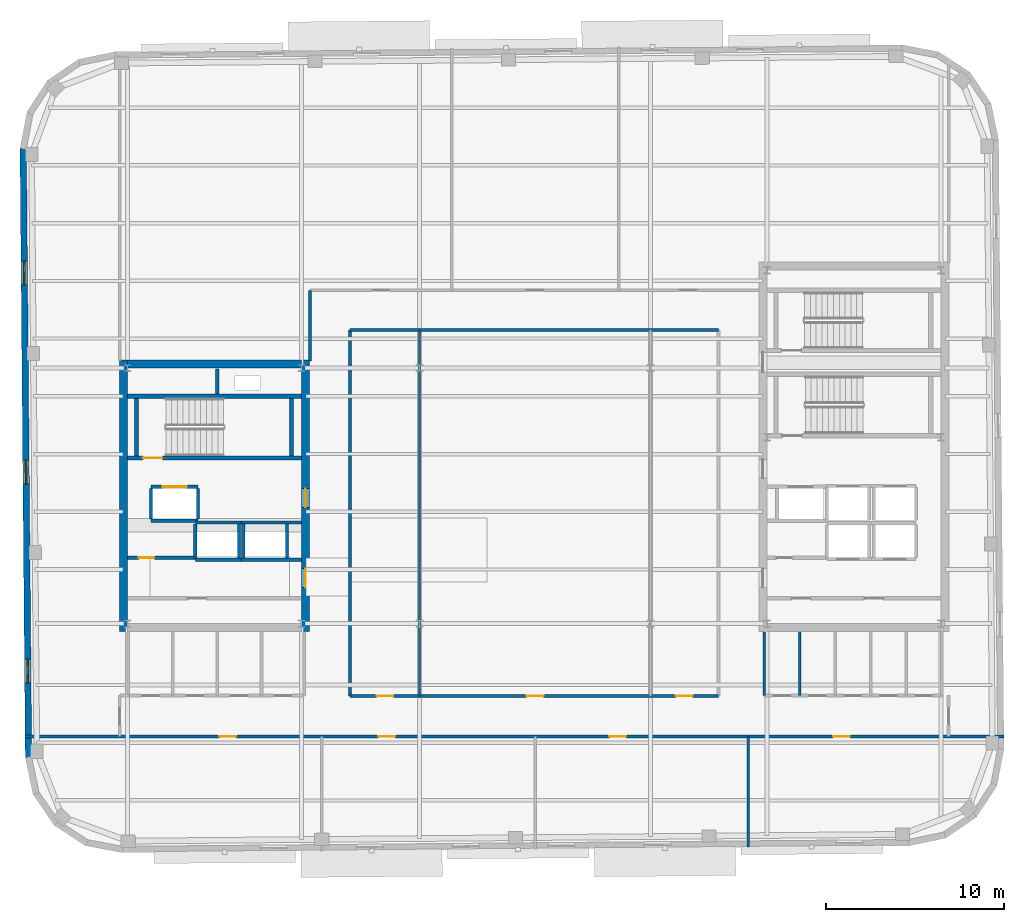
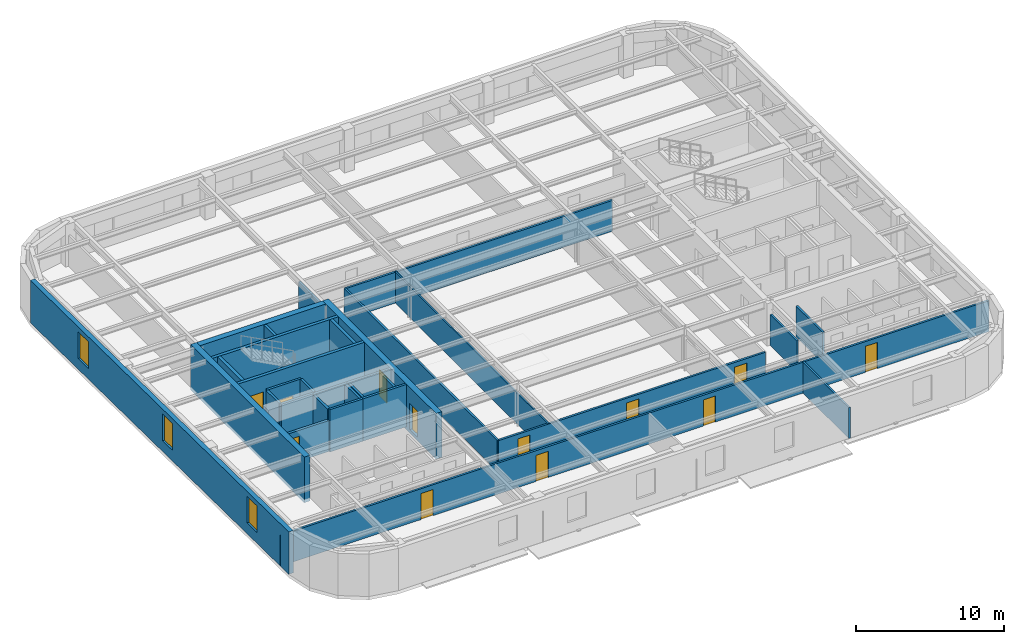
# One storey, part 7 of 13: 31 walls, 12 doors, 3 windows, 15 openings.
"""IFC4 building model written with IfcOpenShell, lengths in metres."""

from ifc_helpers import new_model, si_unit, direction, frame, frame_2d, origin, place, context, subcontext, project, spatial, rectangle, extrude, material, layer, layer_set, type_object, element, fill, save


model = new_model("IFC4")

# Units and contexts
model_context = context("Model", 3, precision=1e-05, world=origin(), true_north=direction((0.0, 1.0)))
body_context = subcontext(model_context, "Body", "Model", "MODEL_VIEW")
ifc_project = project(units=[si_unit("LENGTHUNIT", "METRE"), si_unit("AREAUNIT", "SQUARE_METRE"), si_unit("VOLUMEUNIT", "CUBIC_METRE"), si_unit("PLANEANGLEUNIT", "RADIAN"), si_unit("MASSUNIT", "GRAM", prefix="KILO")], contexts=[model_context])

# Site, building, storey
site_placement = place(None, origin())
site = spatial("IfcSite", under=ifc_project, at=site_placement, CompositionType="ELEMENT")
building_placement = place(site_placement, origin())
building = spatial("IfcBuilding", under=site, at=building_placement, Name="Kolvaren Arena Tower", CompositionType="ELEMENT")
storey_placement = place(building_placement, frame((0.0, 0.0, 278.64990234375)))
storey = spatial("IfcBuildingStorey", under=building, at=storey_placement, Name="L68", CompositionType="ELEMENT", Elevation=278.64990234375)

# Wall, openings, doors
ifc_material_1 = material(Name="Gypsum board acoustic assembly", Category="gypsum")
ifc_layer_1 = layer(ifc_material_1, 0.159912109375)
ifc_layer_set_1 = layer_set([ifc_layer_1], Name="Gypsum board acoustic assembly")
wall_type_1 = type_object("IfcWallType", Name="CORR-160", PredefinedType="PARTITIONING", material=ifc_layer_set_1)
wall_1_placement = place(storey_placement, frame((8.790283203125, 13.10009765625, 0.0), z_axis=(0.0, 0.0, 1.0), x_axis=(1.0, 0.0, 0.0)))
wall_1 = element("IfcWall", 1, at=wall_1_placement, inside=storey, type_object=wall_type_1, Name="Interior Partition Wall (L68)", PredefinedType="PARTITIONING", context=body_context, shape_type="SweptSolid", body=[
    extrude(rectangle(XDim=55.10205078125, YDim=0.159912109375, at=frame_2d((27.551025390625, 0.0))), origin(), (0.0, 0.0, 1.0), 2.5400390625),
])
opening_1_placement = place(wall_1_placement, frame((10.934814453125, 0.0, 0.0)))
opening_1 = element("IfcOpeningElement", 2, at=opening_1_placement, cuts=wall_1, Name="Opening D05", PredefinedType="OPENING", context=body_context, shape_type="SweptSolid", body=[
    extrude(rectangle(XDim=0.949951171875, YDim=2.14990234375, at=frame_2d((0.47509765625, 1.074951171875))), frame((0.0, 0.08984375, 0.0), z_axis=(0.0, -1.0, 0.0), x_axis=(1.0, 0.0, 0.0)), (0.0, 0.0, 1.0), 0.179931640625),
])
opening_2_placement = place(wall_1_placement, frame((19.884765625, 0.0, 0.0)))
opening_2 = element("IfcOpeningElement", 3, at=opening_2_placement, cuts=wall_1, Name="Opening D05", PredefinedType="OPENING", context=body_context, shape_type="SweptSolid", body=[
    extrude(rectangle(XDim=0.949951171875, YDim=2.14990234375, at=frame_2d((0.47509765625, 1.074951171875))), frame((0.0, 0.08984375, 0.0), z_axis=(0.0, -1.0, 0.0), x_axis=(1.0, 0.0, 0.0)), (0.0, 0.0, 1.0), 0.179931640625),
])
opening_3_placement = place(wall_1_placement, frame((32.884765625, 0.0, 0.0)))
opening_3 = element("IfcOpeningElement", 4, at=opening_3_placement, cuts=wall_1, Name="Opening D05", PredefinedType="OPENING", context=body_context, shape_type="SweptSolid", body=[
    extrude(rectangle(XDim=0.949951171875, YDim=2.14990234375, at=frame_2d((0.47509765625, 1.074951171875))), frame((0.0, 0.08984375, 0.0), z_axis=(0.0, -1.0, 0.0), x_axis=(1.0, 0.0, 0.0)), (0.0, 0.0, 1.0), 0.179931640625),
])
opening_4_placement = place(wall_1_placement, frame((45.484619140625, 0.0, 0.0)))
opening_4 = element("IfcOpeningElement", 5, at=opening_4_placement, cuts=wall_1, Name="Opening D05", PredefinedType="OPENING", context=body_context, shape_type="SweptSolid", body=[
    extrude(rectangle(XDim=0.949951171875, YDim=2.14990234375, at=frame_2d((0.47509765625, 1.074951171875))), frame((0.0, 0.08984375, 0.0), z_axis=(0.0, -1.0, 0.0), x_axis=(1.0, 0.0, 0.0)), (0.0, 0.0, 1.0), 0.179931640625),
])
ifc_material_2 = material(Name="Solid-core oak acoustic office door", Category="wood")
door_type_1 = type_object("IfcDoorType", Name="DOOR-OF-095", OperationType="NOTDEFINED", PredefinedType="DOOR", material=ifc_material_2)
door_1_placement = place(opening_1_placement, origin())
door_1 = element("IfcDoor", 6, at=door_1_placement, inside=storey, type_object=door_type_1, Name="Wellness Room Door (L68)", OperationType="SINGLE_SWING_RIGHT", OverallHeight=2.14990234375, OverallWidth=0.949951171875, PredefinedType="DOOR", context=body_context, shape_type="SweptSolid", body=[
    extrude(rectangle(XDim=0.949951171875, YDim=2.14990234375, at=frame_2d((0.47509765625, 1.074951171875))), frame((0.0, 0.02490234375, 0.0), z_axis=(0.0, -1.0, 0.0), x_axis=(1.0, 0.0, 0.0)), (0.0, 0.0, 1.0), 0.050048828125),
])
fill(opening_1, door_1)
door_2_placement = place(opening_2_placement, origin())
door_2 = element("IfcDoor", 7, at=door_2_placement, inside=storey, type_object=door_type_1, Name="Open Plan Office Door (L68)", OperationType="SINGLE_SWING_LEFT", OverallHeight=2.14990234375, OverallWidth=0.949951171875, PredefinedType="DOOR", context=body_context, shape_type="SweptSolid", body=[
    extrude(rectangle(XDim=0.949951171875, YDim=2.14990234375, at=frame_2d((0.47509765625, 1.074951171875))), frame((0.0, 0.02490234375, 0.0), z_axis=(0.0, -1.0, 0.0), x_axis=(1.0, 0.0, 0.0)), (0.0, 0.0, 1.0), 0.050048828125),
])
fill(opening_2, door_2)
door_3_placement = place(opening_3_placement, origin())
door_3 = element("IfcDoor", 8, at=door_3_placement, inside=storey, type_object=door_type_1, Name="Copy and Print Room Door (L68)", OperationType="SINGLE_SWING_RIGHT", OverallHeight=2.14990234375, OverallWidth=0.949951171875, PredefinedType="DOOR", context=body_context, shape_type="SweptSolid", body=[
    extrude(rectangle(XDim=0.949951171875, YDim=2.14990234375, at=frame_2d((0.47509765625, 1.074951171875))), frame((0.0, 0.02490234375, 0.0), z_axis=(0.0, -1.0, 0.0), x_axis=(1.0, 0.0, 0.0)), (0.0, 0.0, 1.0), 0.050048828125),
])
fill(opening_3, door_3)
door_4_placement = place(opening_4_placement, origin())
door_4 = element("IfcDoor", 9, at=door_4_placement, inside=storey, type_object=door_type_1, Name="Executive Office Door (L68)", OperationType="SINGLE_SWING_LEFT", OverallHeight=2.14990234375, OverallWidth=0.949951171875, PredefinedType="DOOR", context=body_context, shape_type="SweptSolid", body=[
    extrude(rectangle(XDim=0.949951171875, YDim=2.14990234375, at=frame_2d((0.47509765625, 1.074951171875))), frame((0.0, 0.02490234375, 0.0), z_axis=(0.0, -1.0, 0.0), x_axis=(1.0, 0.0, 0.0)), (0.0, 0.0, 1.0), 0.050048828125),
])
fill(opening_4, door_4)

# Wall
wall_2_placement = place(storey_placement, frame((24.820068359375, 34.25, 0.0), z_axis=(0.0, 0.0, 1.0), x_axis=(0.0, 1.0, 0.0)))
element("IfcWall", 10, at=wall_2_placement, inside=storey, type_object=wall_type_1, Name="Interior Partition Wall (L68)", PredefinedType="PARTITIONING", context=body_context, shape_type="SweptSolid", body=[
    extrude(rectangle(XDim=3.969970703125, YDim=0.159912109375, at=frame_2d((1.98486328125, 0.0))), origin(), (0.0, 0.0, 1.0), 2.5400390625),
])

# Wall, openings, doors
wall_3_placement = place(storey_placement, frame((27.080078125, 15.3798828125, 0.0), z_axis=(0.0, 0.0, 1.0), x_axis=(1.0, 0.0, 0.0)))
wall_3 = element("IfcWall", 11, at=wall_3_placement, inside=storey, type_object=wall_type_1, Name="Interior Partition Wall (L68)", PredefinedType="PARTITIONING", context=body_context, shape_type="SweptSolid", body=[
    extrude(rectangle(XDim=20.739990234375, YDim=0.159912109375, at=frame_2d((10.3701171875, 0.0))), origin(), (0.0, 0.0, 1.0), 2.5400390625),
])
opening_5_placement = place(wall_3_placement, frame((1.4951171875, 0.0, 0.0)))
opening_5 = element("IfcOpeningElement", 12, at=opening_5_placement, cuts=wall_3, Name="Opening D05", PredefinedType="OPENING", context=body_context, shape_type="SweptSolid", body=[
    extrude(rectangle(XDim=0.949951171875, YDim=2.14990234375, at=frame_2d((0.47509765625, 1.074951171875))), frame((0.0, 0.08984375, 0.0), z_axis=(0.0, -1.0, 0.0), x_axis=(1.0, 0.0, 0.0)), (0.0, 0.0, 1.0), 0.179931640625),
])
opening_6_placement = place(wall_3_placement, frame((9.945068359375, 0.0, 0.0)))
opening_6 = element("IfcOpeningElement", 13, at=opening_6_placement, cuts=wall_3, Name="Opening D05", PredefinedType="OPENING", context=body_context, shape_type="SweptSolid", body=[
    extrude(rectangle(XDim=0.949951171875, YDim=2.14990234375, at=frame_2d((0.47509765625, 1.074951171875))), frame((0.0, 0.08984375, 0.0), z_axis=(0.0, -1.0, 0.0), x_axis=(1.0, 0.0, 0.0)), (0.0, 0.0, 1.0), 0.179931640625),
])
opening_7_placement = place(wall_3_placement, frame((18.344970703125, 0.0, 0.0)))
opening_7 = element("IfcOpeningElement", 14, at=opening_7_placement, cuts=wall_3, Name="Opening D05", PredefinedType="OPENING", context=body_context, shape_type="SweptSolid", body=[
    extrude(rectangle(XDim=0.949951171875, YDim=2.14990234375, at=frame_2d((0.47509765625, 1.074951171875))), frame((0.0, 0.08984375, 0.0), z_axis=(0.0, -1.0, 0.0), x_axis=(1.0, 0.0, 0.0)), (0.0, 0.0, 1.0), 0.179931640625),
])
door_5_placement = place(opening_5_placement, origin())
door_5 = element("IfcDoor", 15, at=door_5_placement, inside=storey, type_object=door_type_1, Name="Open Plan Office Door (L68)", OperationType="SINGLE_SWING_LEFT", OverallHeight=2.14990234375, OverallWidth=0.949951171875, PredefinedType="DOOR", context=body_context, shape_type="SweptSolid", body=[
    extrude(rectangle(XDim=0.949951171875, YDim=2.14990234375, at=frame_2d((0.47509765625, 1.074951171875))), frame((0.0, 0.02490234375, 0.0), z_axis=(0.0, -1.0, 0.0), x_axis=(1.0, 0.0, 0.0)), (0.0, 0.0, 1.0), 0.050048828125),
])
fill(opening_5, door_5)
door_6_placement = place(opening_6_placement, origin())
door_6 = element("IfcDoor", 16, at=door_6_placement, inside=storey, type_object=door_type_1, Name="Copy and Print Room Door (L68)", OperationType="SINGLE_SWING_RIGHT", OverallHeight=2.14990234375, OverallWidth=0.949951171875, PredefinedType="DOOR", context=body_context, shape_type="SweptSolid", body=[
    extrude(rectangle(XDim=0.949951171875, YDim=2.14990234375, at=frame_2d((0.47509765625, 1.074951171875))), frame((0.0, 0.02490234375, 0.0), z_axis=(0.0, -1.0, 0.0), x_axis=(1.0, 0.0, 0.0)), (0.0, 0.0, 1.0), 0.050048828125),
])
fill(opening_6, door_6)
door_7_placement = place(opening_7_placement, origin())
door_7 = element("IfcDoor", 17, at=door_7_placement, inside=storey, type_object=door_type_1, Name="Executive Office Door (L68)", OperationType="SINGLE_SWING_LEFT", OverallHeight=2.14990234375, OverallWidth=0.949951171875, PredefinedType="DOOR", context=body_context, shape_type="SweptSolid", body=[
    extrude(rectangle(XDim=0.949951171875, YDim=2.14990234375, at=frame_2d((0.47509765625, 1.074951171875))), frame((0.0, 0.02490234375, 0.0), z_axis=(0.0, -1.0, 0.0), x_axis=(1.0, 0.0, 0.0)), (0.0, 0.0, 1.0), 0.050048828125),
])
fill(opening_7, door_7)

# Walls
wall_4_placement = place(storey_placement, frame((27.080078125, 35.97998046875, 0.0), z_axis=(0.0, 0.0, 1.0), x_axis=(1.0, 0.0, 0.0)))
element("IfcWall", 18, at=wall_4_placement, inside=storey, type_object=wall_type_1, Name="Interior Partition Wall (L68)", PredefinedType="PARTITIONING", context=body_context, shape_type="SweptSolid", body=[
    extrude(rectangle(XDim=20.739990234375, YDim=0.159912109375, at=frame_2d((10.3701171875, 0.0))), origin(), (0.0, 0.0, 1.0), 2.5400390625),
])
wall_5_placement = place(storey_placement, frame((27.080078125, 15.3798828125, 0.0), z_axis=(0.0, 0.0, 1.0), x_axis=(0.0, 1.0, 0.0)))
element("IfcWall", 19, at=wall_5_placement, inside=storey, type_object=wall_type_1, Name="Interior Partition Wall (L68)", PredefinedType="PARTITIONING", context=body_context, shape_type="SweptSolid", body=[
    extrude(rectangle(XDim=20.60009765625, YDim=0.159912109375, at=frame_2d((10.300048828125, 0.0))), origin(), (0.0, 0.0, 1.0), 2.5400390625),
])
ifc_material_3 = material(Name="Concrete 55 MPa", Category="concrete")
ifc_layer_2 = layer(ifc_material_3, 0.449951171875)
ifc_layer_set_2 = layer_set([ifc_layer_2], Name="Concrete 55 MPa")
wall_type_2 = type_object("IfcWallType", Name="CWALL-450", PredefinedType="SHEAR", material=ifc_layer_set_2)
wall_6_placement = place(storey_placement, frame((14.324951171875, 19.0, -0.27001953125), z_axis=(0.0, 0.0, 1.0), x_axis=(0.0, 1.0, 0.0)))
element("IfcWall", 20, at=wall_6_placement, inside=storey, type_object=wall_type_2, Name="Core Shear Wall WC-WEST (L68)", PredefinedType="SHEAR", context=body_context, shape_type="SweptSolid", body=[
    extrude(rectangle(XDim=15.300048828125, YDim=0.449951171875, at=frame_2d((7.64990234375, 0.0))), origin(), (0.0, 0.0, 1.0), 3.75),
])

# Wall, openings, doors
wall_7_placement = place(storey_placement, frame((24.574951171875, 19.0, -0.27001953125), z_axis=(0.0, 0.0, 1.0), x_axis=(0.0, 1.0, 0.0)))
wall_7 = element("IfcWall", 21, at=wall_7_placement, inside=storey, type_object=wall_type_2, Name="Core Shear Wall WC-EAST (L68)", PredefinedType="SHEAR", context=body_context, shape_type="SweptSolid", body=[
    extrude(rectangle(XDim=15.300048828125, YDim=0.449951171875, at=frame_2d((7.64990234375, 0.0))), origin(), (0.0, 0.0, 1.0), 3.75),
])
opening_8_placement = place(wall_7_placement, frame((2.5, 0.0, 0.27001953125)))
opening_8 = element("IfcOpeningElement", 22, at=opening_8_placement, cuts=wall_7, Name="Opening D04", PredefinedType="OPENING", context=body_context, shape_type="SweptSolid", body=[
    extrude(rectangle(XDim=1.050048828125, YDim=2.14990234375, at=frame_2d((0.52490234375, 1.074951171875))), frame((0.0, 0.23486328125, 0.0), z_axis=(0.0, -1.0, 0.0), x_axis=(1.0, 0.0, 0.0)), (0.0, 0.0, 1.0), 0.469970703125),
])
opening_9_placement = place(wall_7_placement, frame((7.0, 0.0, 0.27001953125)))
opening_9 = element("IfcOpeningElement", 23, at=opening_9_placement, cuts=wall_7, Name="Opening D04", PredefinedType="OPENING", context=body_context, shape_type="SweptSolid", body=[
    extrude(rectangle(XDim=1.050048828125, YDim=2.14990234375, at=frame_2d((0.52490234375, 1.074951171875))), frame((0.0, 0.23486328125, 0.0), z_axis=(0.0, -1.0, 0.0), x_axis=(1.0, 0.0, 0.0)), (0.0, 0.0, 1.0), 0.469970703125),
])
ifc_material_4 = material(Name="Fire-rated steel lobby door", Category="steel")
door_type_2 = type_object("IfcDoorType", Name="DOOR-FF-105", OperationType="NOTDEFINED", PredefinedType="DOOR", material=ifc_material_4)
door_8_placement = place(opening_8_placement, origin())
door_8 = element("IfcDoor", 24, at=door_8_placement, inside=storey, type_object=door_type_2, Name="West Lift Lobby Fire Door (L68)", OperationType="SINGLE_SWING_LEFT", OverallHeight=2.14990234375, OverallWidth=1.050048828125, PredefinedType="DOOR", context=body_context, shape_type="SweptSolid", body=[
    extrude(rectangle(XDim=1.050048828125, YDim=2.14990234375, at=frame_2d((0.52490234375, 1.074951171875))), frame((0.0, 0.02490234375, 0.0), z_axis=(0.0, -1.0, 0.0), x_axis=(1.0, 0.0, 0.0)), (0.0, 0.0, 1.0), 0.050048828125),
])
fill(opening_8, door_8)
door_9_placement = place(opening_9_placement, origin())
door_9 = element("IfcDoor", 25, at=door_9_placement, inside=storey, type_object=door_type_2, Name="West Firefighter Vestibule Door (L68)", OperationType="SINGLE_SWING_RIGHT", OverallHeight=2.14990234375, OverallWidth=1.050048828125, PredefinedType="DOOR", context=body_context, shape_type="SweptSolid", body=[
    extrude(rectangle(XDim=1.050048828125, YDim=2.14990234375, at=frame_2d((0.52490234375, 1.074951171875))), frame((0.0, 0.02490234375, 0.0), z_axis=(0.0, -1.0, 0.0), x_axis=(1.0, 0.0, 0.0)), (0.0, 0.0, 1.0), 0.050048828125),
])
fill(opening_9, door_9)

# Wall
wall_8_placement = place(storey_placement, frame((14.550048828125, 34.074951171875, -0.27001953125), z_axis=(0.0, 0.0, 1.0), x_axis=(1.0, 0.0, 0.0)))
element("IfcWall", 26, at=wall_8_placement, inside=storey, type_object=wall_type_2, Name="Core Shear Wall WC-NORTH (L68)", PredefinedType="SHEAR", context=body_context, shape_type="SweptSolid", body=[
    extrude(rectangle(XDim=9.800048828125, YDim=0.449951171875, at=frame_2d((4.89990234375, 0.0))), origin(), (0.0, 0.0, 1.0), 3.75),
])

# Wall, openings, windows
ifc_material_5 = material(Name="Precast concrete C50/60", Category="concrete")
ifc_layer_3 = layer(ifc_material_5, 0.360107421875)
ifc_layer_set_3 = layer_set([ifc_layer_3], Name="Precast concrete C50/60")
wall_type_3 = type_object("IfcWallType", Name="EXT-PIER2", PredefinedType="SOLIDWALL", material=ifc_layer_set_3)
wall_9_placement = place(storey_placement, frame((8.980712890625, 11.911865234375, 0.0), z_axis=(0.0, 0.0, 1.0), x_axis=(-0.008726453825, 0.999961923777, 0.0)))
wall_9 = element("IfcWall", 27, at=wall_9_placement, inside=storey, type_object=wall_type_3, Name="Exterior Precast Masonry-Frame Wall (L68)", PredefinedType="SOLIDWALL", context=body_context, shape_type="SweptSolid", body=[
    extrude(rectangle(XDim=34.2998046875, YDim=0.360107421875, at=frame_2d((17.14990234375, 0.0))), origin(), (0.0, 0.0, 1.0), 3.47998046875),
])
opening_10_placement = place(wall_9_placement, frame((4.199951171875, 0.0, 0.8798828125)))
opening_10 = element("IfcOpeningElement", 28, at=opening_10_placement, cuts=wall_9, Name="Opening W04", PredefinedType="OPENING", context=body_context, shape_type="SweptSolid", body=[
    extrude(rectangle(XDim=1.35009765625, YDim=2.199951171875, at=frame_2d((0.675048828125, 1.10009765625))), frame((0.0, 0.18994140625, 0.0), z_axis=(0.0, -1.0, 0.0), x_axis=(1.0, 0.0, 0.0)), (0.0, 0.0, 1.0), 0.380126953125),
])
opening_11_placement = place(wall_9_placement, frame((15.39990234375, 0.0, 0.8798828125)))
opening_11 = element("IfcOpeningElement", 29, at=opening_11_placement, cuts=wall_9, Name="Opening W04", PredefinedType="OPENING", context=body_context, shape_type="SweptSolid", body=[
    extrude(rectangle(XDim=1.35009765625, YDim=2.199951171875, at=frame_2d((0.675048828125, 1.10009765625))), frame((0.0, 0.18994140625, 0.0), z_axis=(0.0, -1.0, 0.0), x_axis=(1.0, 0.0, 0.0)), (0.0, 0.0, 1.0), 0.380126953125),
])
opening_12_placement = place(wall_9_placement, frame((26.60009765625, 0.0, 0.8798828125)))
opening_12 = element("IfcOpeningElement", 30, at=opening_12_placement, cuts=wall_9, Name="Opening W04", PredefinedType="OPENING", context=body_context, shape_type="SweptSolid", body=[
    extrude(rectangle(XDim=1.35009765625, YDim=2.199951171875, at=frame_2d((0.675048828125, 1.10009765625))), frame((0.0, 0.18994140625, 0.0), z_axis=(0.0, -1.0, 0.0), x_axis=(1.0, 0.0, 0.0)), (0.0, 0.0, 1.0), 0.380126953125),
])
ifc_material_6 = material(Name="Triple-glazed curved-facet corner window", Category="glass")
window_type = type_object("IfcWindowType", Name="WIN-CRN-A", PartitioningType="SINGLE_PANEL", PredefinedType="WINDOW", material=ifc_material_6)
window_1_placement = place(opening_10_placement, origin())
window_1 = element("IfcWindow", 31, at=window_1_placement, inside=storey, type_object=window_type, Name="End-Wall Punched Window (L68)", OverallHeight=2.199951171875, OverallWidth=1.35009765625, PartitioningType="SINGLE_PANEL", PredefinedType="WINDOW", context=body_context, shape_type="SweptSolid", body=[
    extrude(rectangle(XDim=1.35009765625, YDim=2.199951171875, at=frame_2d((0.675048828125, 1.10009765625))), frame((0.0, 0.030029296875, 0.0), z_axis=(0.0, -1.0, 0.0), x_axis=(1.0, 0.0, 0.0)), (0.0, 0.0, 1.0), 0.06005859375),
])
fill(opening_10, window_1)
window_2_placement = place(opening_11_placement, origin())
window_2 = element("IfcWindow", 32, at=window_2_placement, inside=storey, type_object=window_type, Name="End-Wall Punched Window (L68)", OverallHeight=2.199951171875, OverallWidth=1.35009765625, PartitioningType="SINGLE_PANEL", PredefinedType="WINDOW", context=body_context, shape_type="SweptSolid", body=[
    extrude(rectangle(XDim=1.35009765625, YDim=2.199951171875, at=frame_2d((0.675048828125, 1.10009765625))), frame((0.0, 0.030029296875, 0.0), z_axis=(0.0, -1.0, 0.0), x_axis=(1.0, 0.0, 0.0)), (0.0, 0.0, 1.0), 0.06005859375),
])
fill(opening_11, window_2)
window_3_placement = place(opening_12_placement, origin())
window_3 = element("IfcWindow", 33, at=window_3_placement, inside=storey, type_object=window_type, Name="End-Wall Punched Window (L68)", OverallHeight=2.199951171875, OverallWidth=1.35009765625, PartitioningType="SINGLE_PANEL", PredefinedType="WINDOW", context=body_context, shape_type="SweptSolid", body=[
    extrude(rectangle(XDim=1.35009765625, YDim=2.199951171875, at=frame_2d((0.675048828125, 1.10009765625))), frame((0.0, 0.030029296875, 0.0), z_axis=(0.0, -1.0, 0.0), x_axis=(1.0, 0.0, 0.0)), (0.0, 0.0, 1.0), 0.06005859375),
])
fill(opening_12, window_3)

# Wall, opening, door
ifc_material_7 = material(Name="Concrete 40 MPa", Category="concrete")
ifc_layer_4 = layer(ifc_material_7, 0.199951171875)
ifc_layer_set_4 = layer_set([ifc_layer_4], Name="Concrete 40 MPa")
wall_type_4 = type_object("IfcWallType", Name="LOBBY-200", PredefinedType="SOLIDWALL", material=ifc_layer_set_4)
wall_10_placement = place(storey_placement, frame((14.550048828125, 23.159912109375, 0.0), z_axis=(0.0, 0.0, 1.0), x_axis=(1.0, 0.0, 0.0)))
wall_10 = element("IfcWall", 34, at=wall_10_placement, inside=storey, type_object=wall_type_4, Name="Core Shaft Wall (L68)", PredefinedType="SOLIDWALL", context=body_context, shape_type="SweptSolid", body=[
    extrude(rectangle(XDim=3.820068359375, YDim=0.199951171875, at=frame_2d((1.91015625, 0.0))), origin(), (0.0, 0.0, 1.0), 2.5400390625),
])
opening_13_placement = place(wall_10_placement, frame((0.64990234375, 0.0, 0.0)))
opening_13 = element("IfcOpeningElement", 35, at=opening_13_placement, cuts=wall_10, Name="Opening D09", PredefinedType="OPENING", context=body_context, shape_type="SweptSolid", body=[
    extrude(rectangle(XDim=0.860107421875, YDim=2.050048828125, at=frame_2d((0.43017578125, 1.02490234375))), frame((0.0, 0.10986328125, 0.0), z_axis=(0.0, -1.0, 0.0), x_axis=(1.0, 0.0, 0.0)), (0.0, 0.0, 1.0), 0.219970703125),
])
ifc_material_8 = material(Name="Fire-rated steel riser access door", Category="steel")
door_type_3 = type_object("IfcDoorType", Name="DOOR-RS-086", OperationType="NOTDEFINED", PredefinedType="DOOR", material=ifc_material_8)
door_10_placement = place(opening_13_placement, origin())
door_10 = element("IfcDoor", 36, at=door_10_placement, inside=storey, type_object=door_type_3, Name="West Document Archive Riser Door (L68)", OperationType="SINGLE_SWING_RIGHT", OverallHeight=2.050048828125, OverallWidth=0.860107421875, PredefinedType="DOOR", context=body_context, shape_type="SweptSolid", body=[
    extrude(rectangle(XDim=0.860107421875, YDim=2.050048828125, at=frame_2d((0.43017578125, 1.02490234375))), frame((0.0, 0.02490234375, 0.0), z_axis=(0.0, -1.0, 0.0), x_axis=(1.0, 0.0, 0.0)), (0.0, 0.0, 1.0), 0.050048828125),
])
fill(opening_13, door_10)

# Walls
ifc_material_9 = material(Name="Gypsum board partition assembly", Category="gypsum")
ifc_layer_5 = layer(ifc_material_9, 0.114990234375)
ifc_layer_set_5 = layer_set([ifc_layer_5], Name="Gypsum board partition assembly")
wall_type_5 = type_object("IfcWallType", Name="PART-115", PredefinedType="PARTITIONING", material=ifc_layer_set_5)
wall_11_placement = place(storey_placement, frame((31.0, 15.3798828125, 0.0), z_axis=(0.0, 0.0, 1.0), x_axis=(0.0, 1.0, 0.0)))
element("IfcWall", 37, at=wall_11_placement, inside=storey, type_object=wall_type_5, Name="Interior Partition Wall (L68)", PredefinedType="PARTITIONING", context=body_context, shape_type="SweptSolid", body=[
    extrude(rectangle(XDim=20.60009765625, YDim=0.114990234375, at=frame_2d((10.300048828125, 0.0))), origin(), (0.0, 0.0, 1.0), 2.5400390625),
])
ifc_layer_6 = layer(ifc_material_9, 0.135009765625)
ifc_layer_set_6 = layer_set([ifc_layer_6], Name="Gypsum board partition assembly")
wall_type_6 = type_object("IfcWallType", Name="PART-135", PredefinedType="PARTITIONING", material=ifc_layer_set_6)
wall_12_placement = place(storey_placement, frame((49.5, 6.865234375, 0.0), z_axis=(0.0, 0.0, 1.0), x_axis=(0.0, 1.0, 0.0)))
element("IfcWall", 38, at=wall_12_placement, inside=storey, type_object=wall_type_6, Name="Interior Partition Wall (L68)", PredefinedType="PARTITIONING", context=body_context, shape_type="SweptSolid", body=[
    extrude(rectangle(XDim=6.23486328125, YDim=0.135009765625, at=frame_2d((3.117431640625, 0.0))), origin(), (0.0, 0.0, 1.0), 2.5400390625),
])

# Wall, opening, door
ifc_material_10 = material(Name="Concrete 45 MPa", Category="concrete")
ifc_layer_7 = layer(ifc_material_10, 0.25)
ifc_layer_set_7 = layer_set([ifc_layer_7], Name="Concrete 45 MPa")
wall_type_7 = type_object("IfcWallType", Name="SHAFT-250", PredefinedType="SOLIDWALL", material=ifc_layer_set_7)
wall_13_placement = place(storey_placement, frame((24.35009765625, 28.780029296875, 0.0), z_axis=(0.0, 0.0, 1.0), x_axis=(-1.0, 0.0, 0.0)))
wall_13 = element("IfcWall", 39, at=wall_13_placement, inside=storey, type_object=wall_type_7, Name="Core Shaft Wall (L68)", PredefinedType="SOLIDWALL", context=body_context, shape_type="SweptSolid", body=[
    extrude(rectangle(XDim=9.800048828125, YDim=0.239990234375, at=frame_2d((4.89990234375, 0.0))), origin(), (0.0, 0.0, 1.0), 3.47998046875),
])
opening_14_placement = place(wall_13_placement, frame((7.830078125, 0.0, 0.0)))
opening_14 = element("IfcOpeningElement", 40, at=opening_14_placement, cuts=wall_13, Name="Opening D03", PredefinedType="OPENING", context=body_context, shape_type="SweptSolid", body=[
    extrude(rectangle(XDim=1.10009765625, YDim=2.14990234375, at=frame_2d((0.550048828125, 1.074951171875))), frame((0.0, 0.1298828125, 0.0), z_axis=(0.0, -1.0, 0.0), x_axis=(1.0, 0.0, 0.0)), (0.0, 0.0, 1.0), 0.260009765625),
])
ifc_material_11 = material(Name="Fire-rated steel exit stair door", Category="steel")
door_type_4 = type_object("IfcDoorType", Name="DOOR-ST-110", OperationType="NOTDEFINED", PredefinedType="DOOR", material=ifc_material_11)
door_11_placement = place(opening_14_placement, origin())
door_11 = element("IfcDoor", 41, at=door_11_placement, inside=storey, type_object=door_type_4, Name="Stair ST-W1 Fire Door (L68)", OperationType="SINGLE_SWING_RIGHT", OverallHeight=2.14990234375, OverallWidth=1.10009765625, PredefinedType="DOOR", context=body_context, shape_type="SweptSolid", body=[
    extrude(rectangle(XDim=1.10009765625, YDim=2.14990234375, at=frame_2d((0.550048828125, 1.074951171875))), frame((0.0, 0.02490234375, 0.0), z_axis=(0.0, -1.0, 0.0), x_axis=(1.0, 0.0, 0.0)), (0.0, 0.0, 1.0), 0.050048828125),
])
fill(opening_14, door_11)

# Walls
wall_14_placement = place(storey_placement, frame((14.550048828125, 32.25, 0.0), z_axis=(0.0, 0.0, 1.0), x_axis=(1.0, 0.0, 0.0)))
element("IfcWall", 42, at=wall_14_placement, inside=storey, type_object=wall_type_7, Name="Core Shaft Wall (L68)", PredefinedType="SOLIDWALL", context=body_context, shape_type="SweptSolid", body=[
    extrude(rectangle(XDim=9.800048828125, YDim=0.239990234375, at=frame_2d((4.89990234375, 0.0))), origin(), (0.0, 0.0, 1.0), 3.47998046875),
])
for number, where, z_axis, x_axis, name in (
    (43, (15.06005859375, 28.89990234375, 0.0), (0.0, 0.0, 1.0), (0.0, 1.0, 0.0), "Core Shaft Wall (L68)"),
    (44, (23.780029296875, 28.89990234375, 0.0), (0.0, 0.0, 1.0), (0.0, 1.0, 0.0), "Core Shaft Wall (L68)"),
):
    element("IfcWall", number, at=place(storey_placement, frame(where, z_axis=z_axis, x_axis=x_axis)), inside=storey, type_object=wall_type_7, Name=name, PredefinedType="SOLIDWALL", context=body_context, shape_type="SweptSolid", body=[
        extrude(rectangle(XDim=3.22998046875, YDim=0.239990234375, at=frame_2d((1.614990234375, 0.0))), origin(), (0.0, 0.0, 1.0), 3.47998046875),
    ])
wall_15_placement = place(storey_placement, frame((19.60009765625, 32.3701171875, 0.0), z_axis=(0.0, 0.0, 1.0), x_axis=(0.0, 1.0, 0.0)))
element("IfcWall", 45, at=wall_15_placement, inside=storey, type_object=wall_type_7, Name="Core Shaft Wall (L68)", PredefinedType="SOLIDWALL", context=body_context, shape_type="SweptSolid", body=[
    extrude(rectangle(XDim=1.429931640625, YDim=0.199951171875, at=frame_2d((0.71484375, 0.0))), origin(), (0.0, 0.0, 1.0), 3.47998046875),
])
for number, where, z_axis, x_axis, name in (
    (46, (18.3701171875, 25.155029296875, 0.0), (0.0, 0.0, 1.0), (1.0, 0.0, 0.0), "Core Shaft Wall (L68)"),
    (47, (18.3701171875, 23.044921875, 0.0), (0.0, 0.0, 1.0), (1.0, 0.0, 0.0), "Core Shaft Wall (L68)"),
):
    element("IfcWall", number, at=place(storey_placement, frame(where, z_axis=z_axis, x_axis=x_axis)), inside=storey, type_object=wall_type_7, Name=name, PredefinedType="SOLIDWALL", context=body_context, shape_type="SweptSolid", body=[
        extrude(rectangle(XDim=2.579833984375, YDim=0.179931640625, at=frame_2d((1.2900390625, 0.0))), origin(), (0.0, 0.0, 1.0), 3.47998046875),
    ])
for number, where, z_axis, x_axis, name in (
    (48, (18.3701171875, 23.135009765625, 0.0), (0.0, 0.0, 1.0), (0.0, 1.0, 0.0), "Core Shaft Wall (L68)"),
    (49, (20.830078125, 23.135009765625, 0.0), (0.0, 0.0, 1.0), (0.0, 1.0, 0.0), "Core Shaft Wall (L68)"),
):
    element("IfcWall", number, at=place(storey_placement, frame(where, z_axis=z_axis, x_axis=x_axis)), inside=storey, type_object=wall_type_7, Name=name, PredefinedType="SOLIDWALL", context=body_context, shape_type="SweptSolid", body=[
        extrude(rectangle(XDim=1.929931640625, YDim=0.179931640625, at=frame_2d((0.96484375, 0.0))), origin(), (0.0, 0.0, 1.0), 3.47998046875),
    ])
for number, where, z_axis, x_axis, name in (
    (50, (20.949951171875, 25.155029296875, 0.0), (0.0, 0.0, 1.0), (1.0, 0.0, 0.0), "Core Shaft Wall (L68)"),
    (51, (20.949951171875, 23.044921875, 0.0), (0.0, 0.0, 1.0), (1.0, 0.0, 0.0), "Core Shaft Wall (L68)"),
):
    element("IfcWall", number, at=place(storey_placement, frame(where, z_axis=z_axis, x_axis=x_axis)), inside=storey, type_object=wall_type_7, Name=name, PredefinedType="SOLIDWALL", context=body_context, shape_type="SweptSolid", body=[
        extrude(rectangle(XDim=3.400146484375, YDim=0.179931640625, at=frame_2d((1.7001953125, 0.0))), origin(), (0.0, 0.0, 1.0), 3.47998046875),
    ])
for number, where, z_axis, x_axis, name in (
    (52, (21.070068359375, 23.135009765625, 0.0), (0.0, 0.0, 1.0), (0.0, 1.0, 0.0), "Core Shaft Wall (L68)"),
    (53, (23.530029296875, 23.135009765625, 0.0), (0.0, 0.0, 1.0), (0.0, 1.0, 0.0), "Core Shaft Wall (L68)"),
):
    element("IfcWall", number, at=place(storey_placement, frame(where, z_axis=z_axis, x_axis=x_axis)), inside=storey, type_object=wall_type_7, Name=name, PredefinedType="SOLIDWALL", context=body_context, shape_type="SweptSolid", body=[
        extrude(rectangle(XDim=1.929931640625, YDim=0.179931640625, at=frame_2d((0.96484375, 0.0))), origin(), (0.0, 0.0, 1.0), 3.47998046875),
    ])

# Wall, opening, door
wall_16_placement = place(storey_placement, frame((15.8701171875, 27.155029296875, 0.0), z_axis=(0.0, 0.0, 1.0), x_axis=(1.0, 0.0, 0.0)))
wall_16 = element("IfcWall", 54, at=wall_16_placement, inside=storey, type_object=wall_type_7, Name="Core Shaft Wall (L68)", PredefinedType="SOLIDWALL", context=body_context, shape_type="SweptSolid", body=[
    extrude(rectangle(XDim=2.659912109375, YDim=0.179931640625, at=frame_2d((1.330078125, 0.0))), origin(), (0.0, 0.0, 1.0), 3.47998046875),
])
opening_15_placement = place(wall_16_placement, frame((0.655029296875, 0.0, 0.0)))
opening_15 = element("IfcOpeningElement", 55, at=opening_15_placement, cuts=wall_16, Name="Opening LD2", PredefinedType="OPENING", context=body_context, shape_type="SweptSolid", body=[
    extrude(rectangle(XDim=1.35009765625, YDim=2.300048828125, at=frame_2d((0.675048828125, 1.14990234375))), frame((0.0, 0.099853515625, 0.0), z_axis=(0.0, -1.0, 0.0), x_axis=(1.0, 0.0, 0.0)), (0.0, 0.0, 1.0), 0.199951171875),
])
ifc_material_12 = material(Name="Stainless steel firefighter lift landing door", Category="steel")
door_type_5 = type_object("IfcDoorType", Name="DOOR-LD-135", OperationType="DOUBLE_DOOR_SLIDING", PredefinedType="DOOR", material=ifc_material_12)
door_12_placement = place(opening_15_placement, origin())
door_12 = element("IfcDoor", 56, at=door_12_placement, inside=storey, type_object=door_type_5, Name="Firefighter Lift FF-W1 Landing Door (L68)", OperationType="DOUBLE_DOOR_SLIDING", OverallHeight=2.300048828125, OverallWidth=1.35009765625, PredefinedType="DOOR", context=body_context, shape_type="SweptSolid", body=[
    extrude(rectangle(XDim=1.35009765625, YDim=2.300048828125, at=frame_2d((0.675048828125, 1.14990234375))), frame((0.0, 0.02490234375, 0.0), z_axis=(0.0, -1.0, 0.0), x_axis=(1.0, 0.0, 0.0)), (0.0, 0.0, 1.0), 0.050048828125),
])
fill(opening_15, door_12)

# Walls
wall_17_placement = place(storey_placement, frame((15.8701171875, 25.2451171875, 0.0), z_axis=(0.0, 0.0, 1.0), x_axis=(1.0, 0.0, 0.0)))
element("IfcWall", 57, at=wall_17_placement, inside=storey, type_object=wall_type_7, Name="Core Shaft Wall (L68)", PredefinedType="SOLIDWALL", context=body_context, shape_type="SweptSolid", body=[
    extrude(rectangle(XDim=2.659912109375, YDim=0.179931640625, at=frame_2d((1.330078125, 0.0))), origin(), (0.0, 0.0, 1.0), 3.47998046875),
])
for number, where, z_axis, x_axis, name in (
    (58, (15.8701171875, 25.3349609375, 0.0), (0.0, 0.0, 1.0), (0.0, 1.0, 0.0), "Core Shaft Wall (L68)"),
    (59, (18.530029296875, 25.3349609375, 0.0), (0.0, 0.0, 1.0), (0.0, 1.0, 0.0), "Core Shaft Wall (L68)"),
):
    element("IfcWall", number, at=place(storey_placement, frame(where, z_axis=z_axis, x_axis=x_axis)), inside=storey, type_object=wall_type_7, Name=name, PredefinedType="SOLIDWALL", context=body_context, shape_type="SweptSolid", body=[
        extrude(rectangle(XDim=1.72998046875, YDim=0.179931640625, at=frame_2d((0.864990234375, 0.0))), origin(), (0.0, 0.0, 1.0), 3.47998046875),
    ])
ifc_material_13 = material(Name="Moisture-resistant gypsum assembly", Category="gypsum")
ifc_layer_8 = layer(ifc_material_13, 0.14990234375)
ifc_layer_set_8 = layer_set([ifc_layer_8], Name="Moisture-resistant gypsum assembly")
wall_type_8 = type_object("IfcWallType", Name="WETW-150", PredefinedType="PARTITIONING", material=ifc_layer_set_8)
for number, where, z_axis, x_axis, name in (
    (60, (52.39990234375, 15.39990234375, 0.0), (0.0, 0.0, 1.0), (0.0, 1.0, 0.0), "Interior Partition Wall (L68)"),
    (61, (50.39990234375, 15.39990234375, 0.0), (0.0, 0.0, 1.0), (0.0, 1.0, 0.0), "Interior Partition Wall (L68)"),
):
    element("IfcWall", number, at=place(storey_placement, frame(where, z_axis=z_axis, x_axis=x_axis)), inside=storey, type_object=wall_type_8, Name=name, PredefinedType="PARTITIONING", context=body_context, shape_type="SweptSolid", body=[
        extrude(rectangle(XDim=3.580078125, YDim=0.14990234375, at=frame_2d((1.7900390625, 0.0))), origin(), (0.0, 0.0, 1.0), 2.5400390625),
    ])

save(model, "model.ifc")
